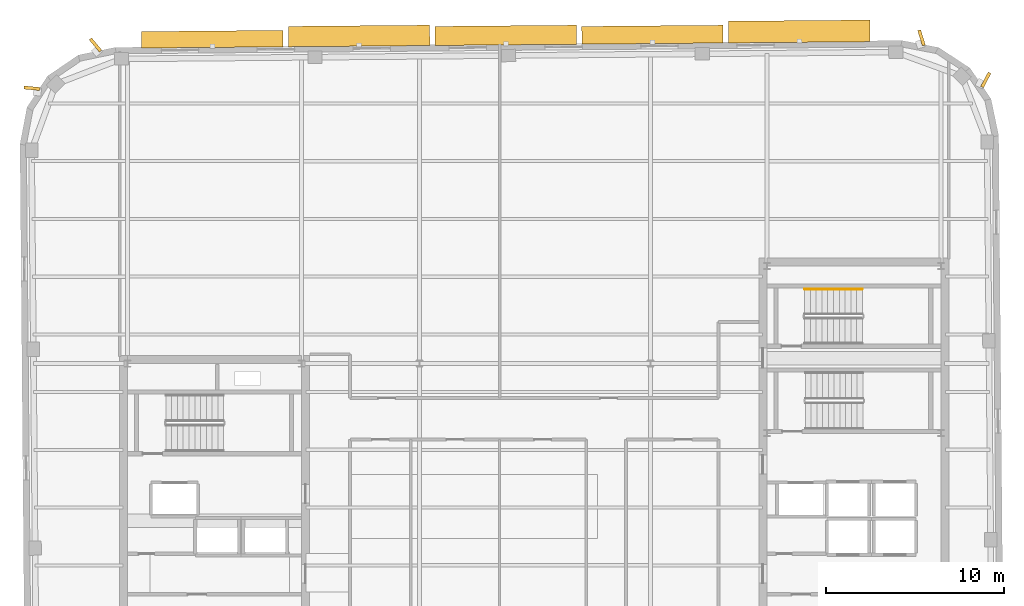
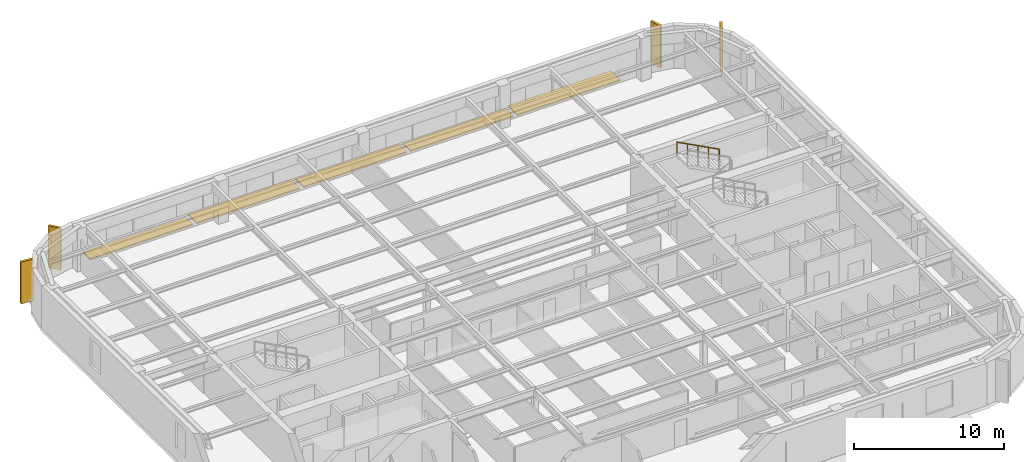
# One storey, part 15 of 15: 9 shading devices, 1 railing.
"""IFC4 building model written with IfcOpenShell, lengths in metres."""

from ifc_helpers import new_model, si_unit, direction, frame, origin, origin_2d, place, context, subcontext, project, spatial, rectangle, circle, extrude, material, type_object, element, save


model = new_model("IFC4")

# Units and contexts
model_context = context("Model", 3, precision=1e-05, world=origin(), true_north=direction((0.0, 1.0)))
body_context = subcontext(model_context, "Body", "Model", "MODEL_VIEW")
ifc_project = project(units=[si_unit("LENGTHUNIT", "METRE"), si_unit("AREAUNIT", "SQUARE_METRE"), si_unit("VOLUMEUNIT", "CUBIC_METRE"), si_unit("PLANEANGLEUNIT", "RADIAN"), si_unit("MASSUNIT", "GRAM", prefix="KILO")], contexts=[model_context])

# Site, building, storey
site_placement = place(None, origin())
site = spatial("IfcSite", under=ifc_project, at=site_placement, CompositionType="ELEMENT")
building_placement = place(site_placement, origin())
building = spatial("IfcBuilding", under=site, at=building_placement, Name="Kolvaren Arena Tower", CompositionType="ELEMENT")
storey_placement = place(building_placement, frame((0.0, 0.0, 282.39990234375)))
storey = spatial("IfcBuildingStorey", under=building, at=storey_placement, Name="L69", CompositionType="ELEMENT", Elevation=282.39990234375)

# Railing
ifc_material_1 = material(Name="Brushed stainless steel handrail", Category="steel")
railing_type = type_object("IfcRailingType", Name="HRAIL-900", PredefinedType="HANDRAIL", material=ifc_material_1)
railing_placement = place(storey_placement, frame((55.919921875, 38.050048828125, 2.045654296875)))
element("IfcRailing", 1, at=railing_placement, inside=storey, type_object=railing_type, Name="L69 ST-E2 stair handrail 2", PredefinedType="HANDRAIL", context=body_context, shape_type="SweptSolid", body=[
    extrude(circle(Radius=0.02392578125, at=origin_2d()), frame((0.0, 0.0, 0.8759765625), z_axis=(-0.885020909582, 0.0, 0.465551274945), x_axis=(0.0, -1.0, 0.0)), (0.0, 0.0, 1.0), 3.660888671875),
    extrude(circle(Radius=0.02099609375, at=origin_2d()), origin(), (0.0, 0.0, 1.0), 0.851806640625),
    extrude(circle(Radius=0.02099609375, at=origin_2d()), frame((-0.81005859375, 0.0, 0.426025390625)), (0.0, 0.0, 1.0), 0.851806640625),
    extrude(circle(Radius=0.02099609375, at=origin_2d()), frame((-1.6201171875, 0.0, 0.85205078125)), (0.0, 0.0, 1.0), 0.851806640625),
    extrude(circle(Radius=0.02099609375, at=origin_2d()), frame((-2.429931640625, 0.0, 1.2783203125)), (0.0, 0.0, 1.0), 0.851806640625),
    extrude(circle(Radius=0.02099609375, at=origin_2d()), frame((-3.239990234375, 0.0, 1.704345703125)), (0.0, 0.0, 1.0), 0.851806640625),
])

# Shading devices
ifc_material_2 = material(Name="Precast architectural concrete C50/60 rib fin", Category="concrete")
shading_device_type_1 = type_object("IfcShadingDeviceType", Name="SHAD-FIN-28", PredefinedType="USERDEFINED", material=ifc_material_2)
for number, where, z_axis, x_axis, name in (
    (2, (62.875, 49.825927734375, 0.020263671875), (0.0, 0.0, 1.0), (0.465619154103, 0.884985199499, 0.0), "Precast 28-Deg Corner Rib Fin (L69)"),
    (3, (59.25439453125, 52.19970703125, 0.020263671875), (0.0, 0.0, 1.0), (-0.296541574976, 0.955019944457, 0.0), "Precast 28-Deg Corner Rib Fin (L69)"),
    (4, (12.74951171875, 51.793701171875, 0.020263671875), (0.0, 0.0, 1.0), (-0.639409480102, 0.768866384202, 0.0), "Precast 28-Deg Corner Rib Fin (L69)"),
    (5, (9.1708984375, 49.357421875, 0.020263671875), (0.0, 0.0, 1.0), (-0.995807961336, 0.091468596471, 0.0), "Precast 28-Deg Corner Rib Fin (L69)"),
):
    element("IfcShadingDevice", number, at=place(storey_placement, frame(where, z_axis=z_axis, x_axis=x_axis)), inside=storey, type_object=shading_device_type_1, Name=name, ObjectType="FIN", PredefinedType="USERDEFINED", context=body_context, shape_type="SweptSolid", body=[
        extrude(rectangle(XDim=0.89990234375, YDim=0.179931640625, at=origin_2d()), origin(), (0.0, 0.0, 1.0), 3.39990234375),
    ])
ifc_material_3 = material(Name="Architectural precast GFRC and anodised aluminium sunshade", Category="concrete")
shading_device_type_2 = type_object("IfcShadingDeviceType", Name="SHAD-SINE-A", PredefinedType="USERDEFINED", material=ifc_material_3)
shading_device_1_placement = place(storey_placement, frame((19.330322265625, 52.11767578125, -0.139892578125), z_axis=(0.0, 0.0, 1.0), x_axis=(0.999961923064, 0.008726535498, 0.0)))
element("IfcShadingDevice", 6, at=shading_device_1_placement, inside=storey, type_object=shading_device_type_2, Name="Sinusoidal Slab-Edge Sunshade Louvre (L69)", ObjectType="LOUVRE", PredefinedType="USERDEFINED", context=body_context, shape_type="SweptSolid", body=[
    extrude(rectangle(XDim=7.9599609375, YDim=0.927978515625, at=origin_2d()), origin(), (0.0, 0.0, 1.0), 0.1201171875),
])
shading_device_2_placement = place(storey_placement, frame((27.589111328125, 52.300048828125, -0.139892578125), z_axis=(0.0, 0.0, 1.0), x_axis=(0.999961923064, 0.008726535498, 0.0)))
element("IfcShadingDevice", 7, at=shading_device_2_placement, inside=storey, type_object=shading_device_type_2, Name="Sinusoidal Slab-Edge Sunshade Louvre (L69)", ObjectType="LOUVRE", PredefinedType="USERDEFINED", context=body_context, shape_type="SweptSolid", body=[
    extrude(rectangle(XDim=7.9599609375, YDim=1.14892578125, at=origin_2d()), origin(), (0.0, 0.0, 1.0), 0.1201171875),
])
shading_device_3_placement = place(storey_placement, frame((35.84912109375, 52.335205078125, -0.139892578125), z_axis=(0.0, 0.0, 1.0), x_axis=(0.999961923064, 0.008726535498, 0.0)))
element("IfcShadingDevice", 8, at=shading_device_3_placement, inside=storey, type_object=shading_device_type_2, Name="Sinusoidal Slab-Edge Sunshade Louvre (L69)", ObjectType="LOUVRE", PredefinedType="USERDEFINED", context=body_context, shape_type="SweptSolid", body=[
    extrude(rectangle(XDim=7.9599609375, YDim=1.074951171875, at=origin_2d()), origin(), (0.0, 0.0, 1.0), 0.1201171875),
])
shading_device_4_placement = place(storey_placement, frame((44.10888671875, 52.370361328125, -0.139892578125), z_axis=(0.0, 0.0, 1.0), x_axis=(0.999961923064, 0.008726535498, 0.0)))
element("IfcShadingDevice", 9, at=shading_device_4_placement, inside=storey, type_object=shading_device_type_2, Name="Sinusoidal Slab-Edge Sunshade Louvre (L69)", ObjectType="LOUVRE", PredefinedType="USERDEFINED", context=body_context, shape_type="SweptSolid", body=[
    extrude(rectangle(XDim=7.9599609375, YDim=1.001220703125, at=origin_2d()), origin(), (0.0, 0.0, 1.0), 0.1201171875),
])
shading_device_5_placement = place(storey_placement, frame((52.36767578125, 52.552978515625, -0.139892578125), z_axis=(0.0, 0.0, 1.0), x_axis=(0.999961923064, 0.008726535498, 0.0)))
element("IfcShadingDevice", 10, at=shading_device_5_placement, inside=storey, type_object=shading_device_type_2, Name="Sinusoidal Slab-Edge Sunshade Louvre (L69)", ObjectType="LOUVRE", PredefinedType="USERDEFINED", context=body_context, shape_type="SweptSolid", body=[
    extrude(rectangle(XDim=7.9599609375, YDim=1.221923828125, at=origin_2d()), origin(), (0.0, 0.0, 1.0), 0.1201171875),
])

save(model, "model.ifc")
